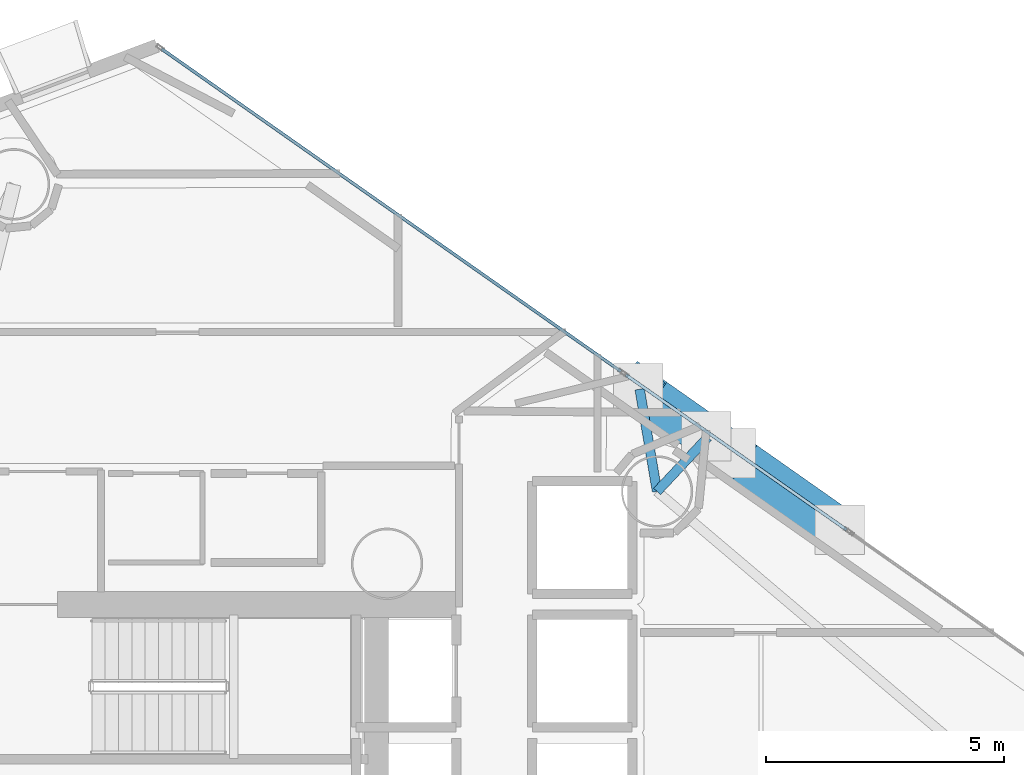
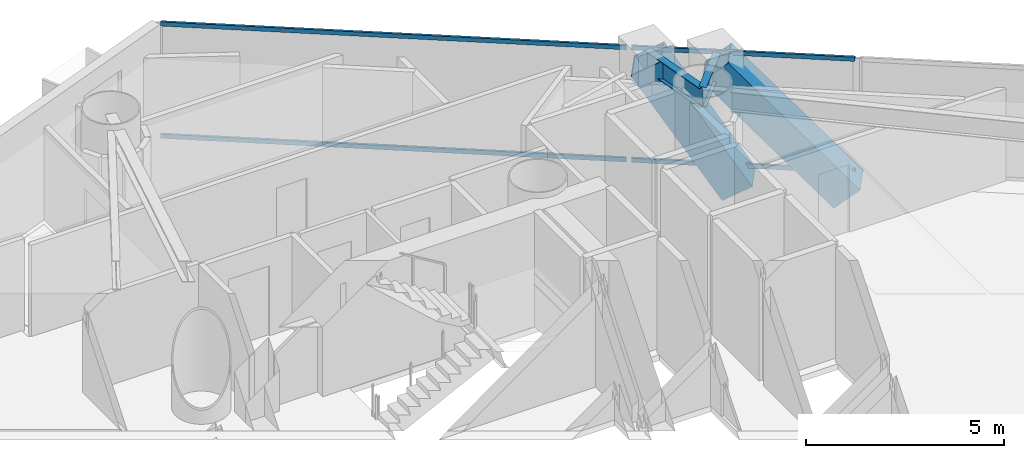
# One storey, part 13 of 24: 6 members, 2 beams, 2 elements without a shape of their own.
"""IFC4 building model written with IfcOpenShell, lengths in metres."""

from ifc_helpers import new_model, si_unit, direction, frame, origin, origin_2d, place, context, subcontext, project, spatial, hollow_rectangle, i_section, extrude, material, layer, layer_set, material_profile, profile_set, type_object, element, aggregate, save


model = new_model("IFC4")

# Units and contexts
model_context = context("Model", 3, precision=1e-05, world=origin(), true_north=direction((0.0, 1.0)))
body_context = subcontext(model_context, "Body", "Model", "MODEL_VIEW")
ifc_project = project(units=[si_unit("LENGTHUNIT", "METRE"), si_unit("AREAUNIT", "SQUARE_METRE"), si_unit("VOLUMEUNIT", "CUBIC_METRE"), si_unit("PLANEANGLEUNIT", "RADIAN"), si_unit("MASSUNIT", "GRAM", prefix="KILO")], contexts=[model_context])

# Site, building, storey
site_placement = place(None, origin())
site = spatial("IfcSite", under=ifc_project, at=site_placement, CompositionType="ELEMENT")
building_placement = place(site_placement, origin())
building = spatial("IfcBuilding", under=site, at=building_placement, Name="Qianvela Tower", CompositionType="ELEMENT")
storey_placement = place(building_placement, frame((0.0, 0.0, 101.5)))
storey = spatial("IfcBuildingStorey", under=building, at=storey_placement, Name="L25", CompositionType="ELEMENT", Elevation=101.5)

# Beams
ifc_material_1 = material(Name="Steel Q355B", Category="steel")
ifc_material_profile_1 = material_profile(ifc_material_1, i_section(OverallWidth=0.199951171875, OverallDepth=0.60009765625, WebThickness=0.010986328125, FlangeThickness=0.01708984375, at=origin_2d()), Name="HN600x200x11x17")
ifc_profile_set_1 = profile_set([ifc_material_profile_1], Name="Steel Q355B")
beam_type = type_object("IfcBeamType", Name="BM-HN600-GIRD", PredefinedType="BEAM", material=ifc_profile_set_1)
beam_1_placement = place(storey_placement, frame((44.071044921875, 35.070068359375, 3.218017578125), z_axis=(0.684096975084, 0.729391067042, 0.0), x_axis=(-0.729391067042, 0.684096975084, 0.0)))
element("IfcBeam", 1, at=beam_1_placement, inside=storey, type_object=beam_type, Name="L25 Mega-Brace Column Tie Bracket F1-1", PredefinedType="BEAM", context=body_context, shape_type="SweptSolid", body=[
    extrude(i_section(OverallWidth=0.199951171875, OverallDepth=0.60009765625, WebThickness=0.010986328125, FlangeThickness=0.01708984375, at=origin_2d()), origin(), (0.0, 0.0, 1.0), 1.563232421875),
])
beam_2_placement = place(storey_placement, frame((44.071044921875, 35.070068359375, 3.218017578125), z_axis=(-0.167579152224, 0.985858624621, 0.0), x_axis=(-0.985858624621, -0.167579152224, 0.0)))
element("IfcBeam", 2, at=beam_2_placement, inside=storey, type_object=beam_type, Name="L25 Mega-Brace Column Tie Bracket F1-2", PredefinedType="BEAM", context=body_context, shape_type="SweptSolid", body=[
    extrude(i_section(OverallWidth=0.199951171875, OverallDepth=0.60009765625, WebThickness=0.010986328125, FlangeThickness=0.01708984375, at=origin_2d()), origin(), (0.0, 0.0, 1.0), 2.177978515625),
])

# Curtain wall, members
ifc_material_2 = material(Name="Anodised Architectural Aluminium and Insulated Spandrel Panel", Category="aluminium")
ifc_layer_1 = layer(ifc_material_2, 0.179931640625)
ifc_layer_set_1 = layer_set([ifc_layer_1], Name="Anodised Architectural Aluminium and Insulated Spandrel Panel")
curtain_wall_type_1 = type_object("IfcCurtainWallType", Name="CW-BRACEBAY", PredefinedType="USERDEFINED", material=ifc_layer_set_1)
curtain_wall_1_placement = place(storey_placement, origin())
curtain_wall_1 = element("IfcCurtainWall", 3, at=curtain_wall_1_placement, inside=storey, type_object=curtain_wall_type_1, Name="L25 CW-BRACEBAY Curtain Wall 02B", ObjectType="CURTAIN_WALL_SYSTEM", PredefinedType="USERDEFINED")
ifc_material_3 = material(Name="Anodised Architectural Aluminium 6063-T6", Category="aluminium")
ifc_material_profile_2 = material_profile(ifc_material_3, hollow_rectangle(XDim=0.06494140625, YDim=0.1298828125, WallThickness=0.00439453125, at=origin_2d()), Name="ALU-TRAN-65x130")
ifc_profile_set_2 = profile_set([ifc_material_profile_2], Name="Anodised Architectural Aluminium 6063-T6")
member_type_1 = type_object("IfcMemberType", Name="CW-BRACEBAY-TRAN", PredefinedType="USERDEFINED", material=ifc_profile_set_2)
member_1_placement = place(storey_placement, frame((48.04931640625, 34.265625, 0.032470703125), z_axis=(-0.81841647729, 0.574625503872, 0.0), x_axis=(-0.574625503872, -0.81841647729, 0.0)))
member_1 = element("IfcMember", 4, at=member_1_placement, type_object=member_type_1, Name="CW-9 transom 1.1", ObjectType="TRANSOM", PredefinedType="USERDEFINED", context=body_context, shape_type="SweptSolid", body=[
    extrude(hollow_rectangle(XDim=0.06494140625, YDim=0.1298828125, WallThickness=0.00439453125, at=origin_2d()), origin(), (0.0, 0.0, 1.0), 5.66015625),
])
member_2_placement = place(storey_placement, frame((48.04931640625, 34.265625, 3.487548828125), z_axis=(-0.81841647729, 0.574625503872, 0.0), x_axis=(-0.574625503872, -0.81841647729, 0.0)))
member_2 = element("IfcMember", 5, at=member_2_placement, type_object=member_type_1, Name="CW-9 transom 1.2", ObjectType="TRANSOM", PredefinedType="USERDEFINED", context=body_context, shape_type="SweptSolid", body=[
    extrude(hollow_rectangle(XDim=0.06494140625, YDim=0.1298828125, WallThickness=0.00439453125, at=origin_2d()), origin(), (0.0, 0.0, 1.0), 5.66015625),
])
aggregate(curtain_wall_1, [member_1, member_2])

ifc_material_4 = material(Name="Anodised Architectural Aluminium and Low-E Glass", Category="aluminium")
ifc_layer_2 = layer(ifc_material_4, 0.169921875)
ifc_layer_set_2 = layer_set([ifc_layer_2], Name="Anodised Architectural Aluminium and Low-E Glass")
curtain_wall_type_2 = type_object("IfcCurtainWallType", Name="CW-COLIV-Z34", PredefinedType="USERDEFINED", material=ifc_layer_set_2)
curtain_wall_2_placement = place(storey_placement, origin())
curtain_wall_2 = element("IfcCurtainWall", 6, at=curtain_wall_2_placement, inside=storey, type_object=curtain_wall_type_2, Name="L25 CW-COLIV-Z34 Curtain Wall 02C", ObjectType="CURTAIN_WALL_SYSTEM", PredefinedType="USERDEFINED")
ifc_material_5 = material(Name="Anodised Architectural Aluminium 6063-T6", Category="aluminium")
ifc_material_profile_3 = material_profile(ifc_material_5, hollow_rectangle(XDim=0.06494140625, YDim=0.1298828125, WallThickness=0.00439453125, at=origin_2d()), Name="ALU-TRAN-65x130")
ifc_profile_set_3 = profile_set([ifc_material_profile_3], Name="Anodised Architectural Aluminium 6063-T6")
member_type_2 = type_object("IfcMemberType", Name="CW-COLIV-Z34-TRAN", PredefinedType="USERDEFINED", material=ifc_profile_set_3)
member_3_placement = place(storey_placement, frame((43.310546875, 37.592529296875, 0.032470703125), z_axis=(-0.818420691246, 0.574619502054, 0.0), x_axis=(-0.574619502054, -0.818420691246, 0.0)))
member_3 = element("IfcMember", 7, at=member_3_placement, type_object=member_type_2, Name="CW-4 transom 1.1", ObjectType="TRANSOM", PredefinedType="USERDEFINED", context=body_context, shape_type="SweptSolid", body=[
    extrude(hollow_rectangle(XDim=0.06494140625, YDim=0.1298828125, WallThickness=0.00439453125, at=origin_2d()), origin(), (0.0, 0.0, 1.0), 11.789306640625),
])
member_4_placement = place(storey_placement, frame((43.310546875, 37.592529296875, 3.487548828125), z_axis=(-0.818420691246, 0.574619502054, 0.0), x_axis=(-0.574619502054, -0.818420691246, 0.0)))
member_4 = element("IfcMember", 8, at=member_4_placement, type_object=member_type_2, Name="CW-4 transom 1.2", ObjectType="TRANSOM", PredefinedType="USERDEFINED", context=body_context, shape_type="SweptSolid", body=[
    extrude(hollow_rectangle(XDim=0.06494140625, YDim=0.1298828125, WallThickness=0.00439453125, at=origin_2d()), origin(), (0.0, 0.0, 1.0), 11.789306640625),
])
aggregate(curtain_wall_2, [member_3, member_4])

# Members
ifc_material_6 = material(Name="Steel Q420GJC", Category="steel")
ifc_material_profile_4 = material_profile(ifc_material_6, hollow_rectangle(XDim=0.89990234375, YDim=0.89990234375, WallThickness=0.035888671875, at=origin_2d()), Name="MBOX-900x900x36")
ifc_profile_set_4 = profile_set([ifc_material_profile_4], Name="Steel Q420GJC")
member_type_3 = type_object("IfcMemberType", Name="MBR-MBRACE-900", PredefinedType="BRACE", material=ifc_profile_set_4)
member_5_placement = place(storey_placement, frame((47.873779296875, 34.291015625, -0.48193359375), z_axis=(-0.5483890055, 0.385038046823, 0.742303981631), x_axis=(-0.574629379741, -0.818413755957, 0.0)))
element("IfcMember", 9, at=member_5_placement, inside=storey, type_object=member_type_3, Name="L25 Tier 4 Exterior Mega-Brace F1A", PredefinedType="BRACE", context=body_context, shape_type="SweptSolid", body=[
    extrude(hollow_rectangle(XDim=0.89990234375, YDim=0.89990234375, WallThickness=0.035888671875, at=origin_2d()), origin(), (0.0, 0.0, 1.0), 4.984375),
])
member_6_placement = place(storey_placement, frame((45.597412109375, 35.88916015625, -0.48193359375), z_axis=(-0.433556026188, 0.304446209173, 0.848140128679), x_axis=(-0.574674079068, -0.818382369585, 0.0)))
element("IfcMember", 10, at=member_6_placement, inside=storey, type_object=member_type_3, Name="L25 Tier 4 Exterior Mega-Brace F1B", PredefinedType="BRACE", context=body_context, shape_type="SweptSolid", body=[
    extrude(hollow_rectangle(XDim=0.89990234375, YDim=0.89990234375, WallThickness=0.035888671875, at=origin_2d()), origin(), (0.0, 0.0, 1.0), 4.362548828125),
])

save(model, "model.ifc")
